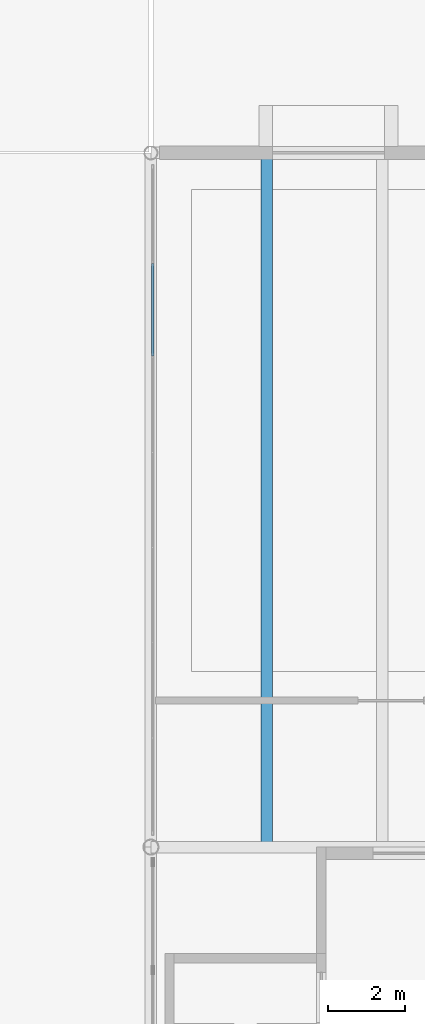
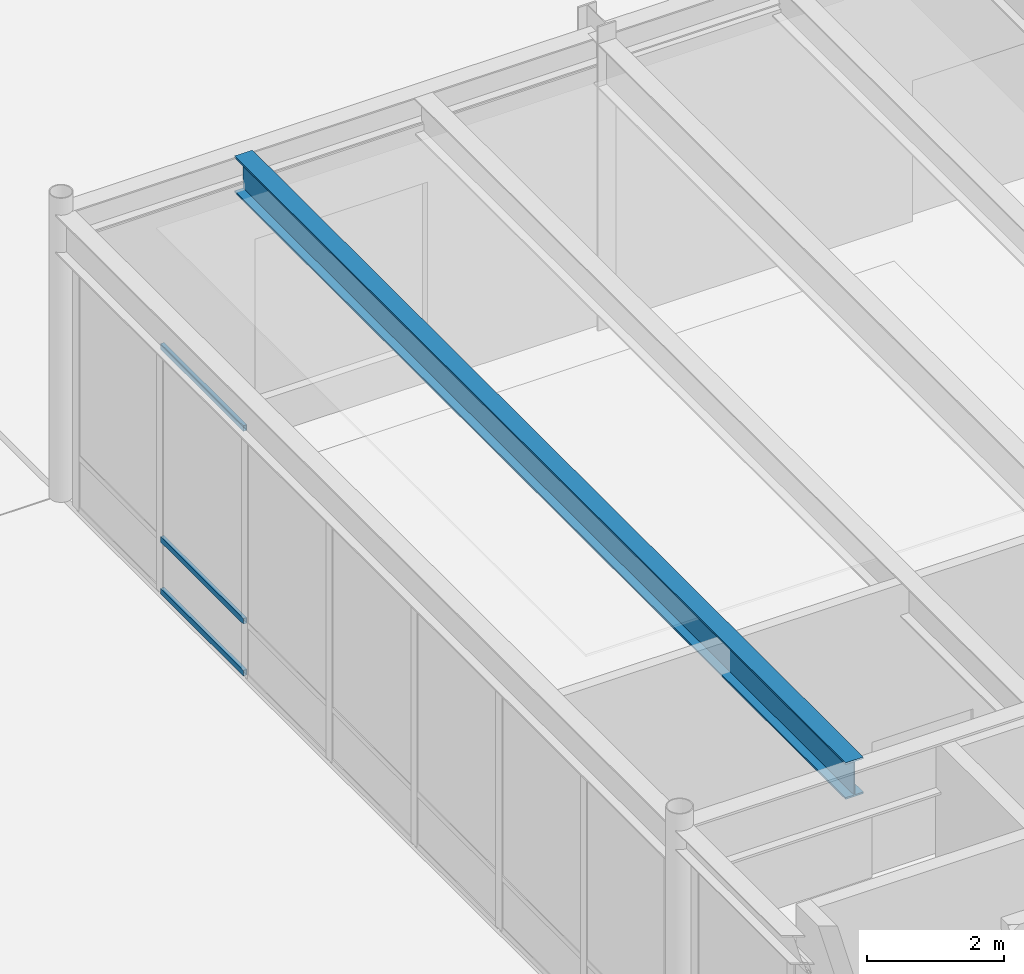
# One storey, part 83 of 143: 3 members, 1 beam, 1 element without a shape of its own.
"""IFC4 building model written with IfcOpenShell, lengths in metres."""

from ifc_helpers import new_model, si_unit, direction, frame, origin, origin_2d, place, context, subcontext, project, spatial, hollow_rectangle, i_section, extrude, material, layer, layer_set, material_profile, profile_set, type_object, element, aggregate, save


model = new_model("IFC4")

# Units and contexts
model_context = context("Model", 3, precision=1e-05, world=origin(), true_north=direction((0.0, 1.0)))
body_context = subcontext(model_context, "Body", "Model", "MODEL_VIEW")
ifc_project = project(units=[si_unit("LENGTHUNIT", "METRE"), si_unit("AREAUNIT", "SQUARE_METRE"), si_unit("VOLUMEUNIT", "CUBIC_METRE"), si_unit("PLANEANGLEUNIT", "RADIAN"), si_unit("MASSUNIT", "GRAM", prefix="KILO")], contexts=[model_context])

# Site, building, storey
site_placement = place(None, origin())
site = spatial("IfcSite", under=ifc_project, at=site_placement, CompositionType="ELEMENT")
building_placement = place(site_placement, origin())
building = spatial("IfcBuilding", under=site, at=building_placement, Name="Montelvaro Courts of Justice", CompositionType="ELEMENT")
storey_placement = place(building_placement, origin())
storey = spatial("IfcBuildingStorey", under=building, at=storey_placement, Name="L00", CompositionType="ELEMENT", Elevation=0.0)

# Beam
ifc_material_1 = material(Name="Steel S355", Category="steel")
ifc_material_profile_1 = material_profile(ifc_material_1, i_section(OverallWidth=0.300048828125, OverallDepth=0.64990234375, WebThickness=0.01611328125, FlangeThickness=0.031005859375, at=origin_2d()), Name="HEB 650")
ifc_profile_set_1 = profile_set([ifc_material_profile_1], Name="Steel S355")
beam_type = type_object("IfcBeamType", Name="Beam_HEB650", PredefinedType="USERDEFINED", material=ifc_profile_set_1)
beam_placement = place(storey_placement, frame((102.0, 78.110107421875, 4.77490234375), z_axis=(0.0, 1.0, 0.0), x_axis=(-1.0, 0.0, 0.0)))
element("IfcBeam", 1, at=beam_placement, inside=storey, type_object=beam_type, Name="Beam B-27 L00", ObjectType="GIRDER", PredefinedType="USERDEFINED", context=body_context, shape_type="SweptSolid", body=[
    extrude(i_section(OverallWidth=0.300048828125, OverallDepth=0.64990234375, WebThickness=0.01611328125, FlangeThickness=0.031005859375, at=origin_2d()), origin(), (0.0, 0.0, 1.0), 17.77978515625),
])

# Curtain wall, members
ifc_material_2 = material(Name="Anodised aluminium EN AW-6063", Category="aluminium")
ifc_layer = layer(ifc_material_2, 0.159912109375)
ifc_layer_set = layer_set([ifc_layer], Name="Anodised aluminium EN AW-6063")
curtain_wall_type = type_object("IfcCurtainWallType", Name="CurtainWall_02_1727x508", PredefinedType="USERDEFINED", material=ifc_layer_set)
curtain_wall_placement = place(storey_placement, origin())
curtain_wall = element("IfcCurtainWall", 2, at=curtain_wall_placement, inside=storey, type_object=curtain_wall_type, Name="Curtain Wall CW-02 (L00)", ObjectType="CURTAIN WALL", PredefinedType="USERDEFINED")
ifc_material_profile_2 = material_profile(ifc_material_2, hollow_rectangle(XDim=0.06005859375, YDim=0.10009765625, WallThickness=0.00341796875, at=origin_2d()), Name="ALU-T 60x100")
ifc_profile_set_2 = profile_set([ifc_material_profile_2], Name="Anodised aluminium EN AW-6063")
member_type = type_object("IfcMemberType", Name="CurtainWall_Transom_60x100", PredefinedType="USERDEFINED", material=ifc_profile_set_2)
member_1_placement = place(storey_placement, frame((99.050048828125, 93.137939453125, 0.030029296875), z_axis=(0.0, -1.0, 0.0), x_axis=(1.0, 0.0, 0.0)))
member_1 = element("IfcMember", 3, at=member_1_placement, type_object=member_type, Name="CW-02 transom 2.1", ObjectType="TRANSOM", PredefinedType="USERDEFINED", context=body_context, shape_type="SweptSolid", body=[
    extrude(hollow_rectangle(XDim=0.06005859375, YDim=0.10009765625, WallThickness=0.00341796875, at=origin_2d()), origin(), (0.0, 0.0, 1.0), 2.4072265625),
])
member_2_placement = place(storey_placement, frame((99.050048828125, 93.137939453125, 0.949951171875), z_axis=(0.0, -1.0, 0.0), x_axis=(1.0, 0.0, 0.0)))
member_2 = element("IfcMember", 4, at=member_2_placement, type_object=member_type, Name="CW-02 transom 2.2", ObjectType="TRANSOM", PredefinedType="USERDEFINED", context=body_context, shape_type="SweptSolid", body=[
    extrude(hollow_rectangle(XDim=0.06005859375, YDim=0.10009765625, WallThickness=0.00341796875, at=origin_2d()), origin(), (0.0, 0.0, 1.0), 2.4072265625),
])
member_3_placement = place(storey_placement, frame((99.050048828125, 93.137939453125, 4.375), z_axis=(0.0, -1.0, 0.0), x_axis=(1.0, 0.0, 0.0)))
member_3 = element("IfcMember", 5, at=member_3_placement, type_object=member_type, Name="CW-02 transom 2.3", ObjectType="TRANSOM", PredefinedType="USERDEFINED", context=body_context, shape_type="SweptSolid", body=[
    extrude(hollow_rectangle(XDim=0.06005859375, YDim=0.10009765625, WallThickness=0.00341796875, at=origin_2d()), origin(), (0.0, 0.0, 1.0), 2.4072265625),
])
aggregate(curtain_wall, [member_1, member_2, member_3])

save(model, "model.ifc")
